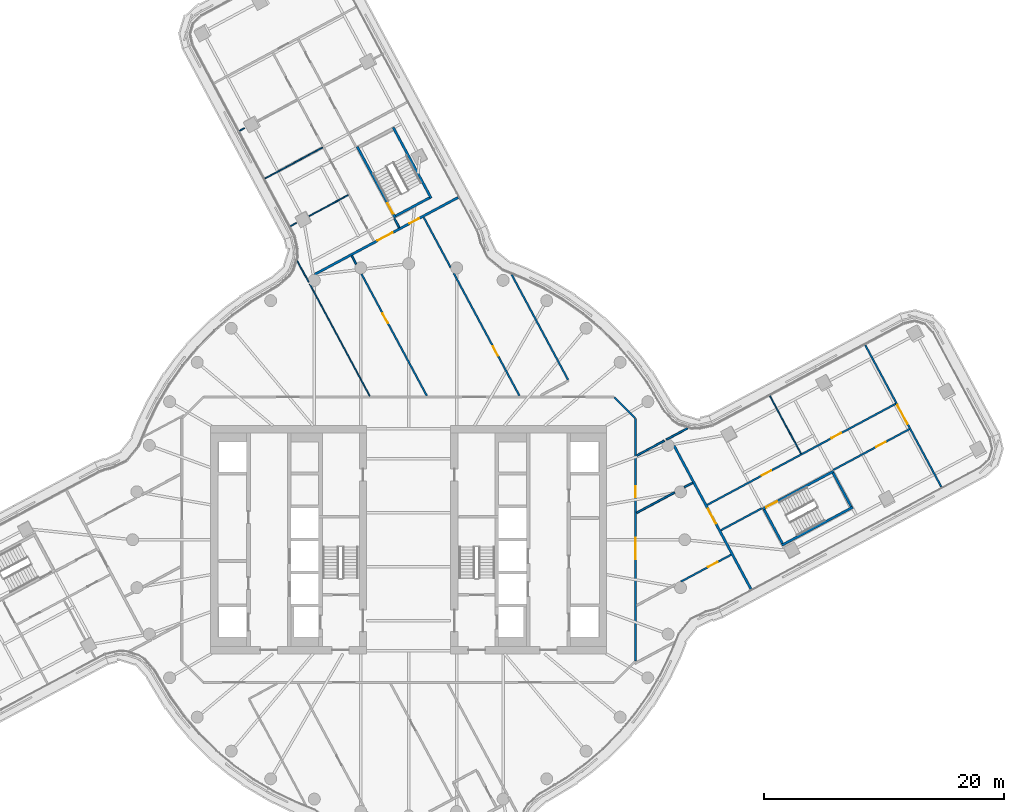
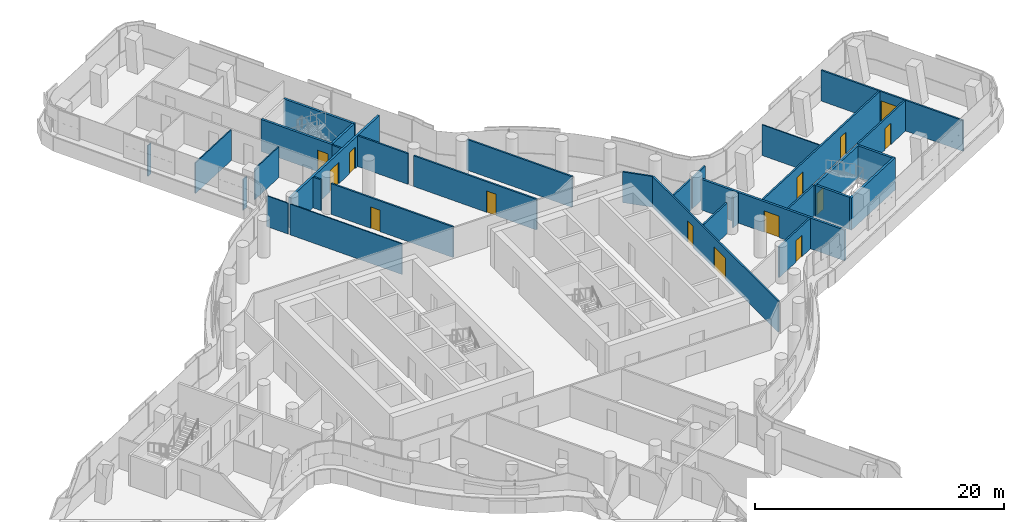
# One storey, part 22 of 33: 33 walls, 14 doors, 14 openings.
"""IFC4 building model written with IfcOpenShell, lengths in metres."""

from ifc_helpers import new_model, si_unit, direction, frame, frame_2d, origin, place, context, subcontext, project, spatial, polyline, rectangle, outline, extrude, material, layer, layer_set, type_object, element, fill, save


model = new_model("IFC4")

# Units and contexts
model_context = context("Model", 3, precision=1e-05, world=origin(), true_north=direction((0.0, 1.0)))
body_context = subcontext(model_context, "Body", "Model", "MODEL_VIEW")
ifc_project = project(units=[si_unit("LENGTHUNIT", "METRE"), si_unit("AREAUNIT", "SQUARE_METRE"), si_unit("VOLUMEUNIT", "CUBIC_METRE"), si_unit("PLANEANGLEUNIT", "RADIAN"), si_unit("MASSUNIT", "GRAM", prefix="KILO")], contexts=[model_context])

# Site, building, storey
site_placement = place(None, origin())
site = spatial("IfcSite", under=ifc_project, at=site_placement, CompositionType="ELEMENT")
building_placement = place(site_placement, origin())
building = spatial("IfcBuilding", under=site, at=building_placement, Name="Tamarind Cross Interchange Tower", CompositionType="ELEMENT")
storey_placement = place(building_placement, frame((0.0, 0.0, 136.75)))
storey = spatial("IfcBuildingStorey", under=building, at=storey_placement, Name="L33", CompositionType="ELEMENT", Elevation=136.75)

# Walls
ifc_material_1 = material(Name="Gypsum board partition on steel studs", Category="steel")
ifc_layer_1 = layer(ifc_material_1, 0.10009765625)
ifc_layer_set_1 = layer_set([ifc_layer_1], Name="Gypsum board partition on steel studs")
wall_type_1 = type_object("IfcWallType", Name="Partition 100 mm EI 90", PredefinedType="PARTITIONING", material=ifc_layer_set_1)
wall_1_placement = place(storey_placement, frame((-9.284912109375, 23.231689453125, 0.0), z_axis=(0.0, 0.0, 1.0), x_axis=(0.472677149277, -0.881235673672, 0.0)))
element("IfcWall", 1, at=wall_1_placement, inside=storey, type_object=wall_type_1, Name="Partition L33-010", PredefinedType="PARTITIONING", context=body_context, shape_type="SweptSolid", body=[
    extrude(rectangle(XDim=2.006591796875, YDim=0.10009765625, at=frame_2d((1.00341796875, 0.0))), origin(), (0.0, 0.0, 1.0), 3.010009765625),
])
wall_2_placement = place(storey_placement, frame((-8.2470703125, 21.296875, 0.0), z_axis=(0.0, 0.0, 1.0), x_axis=(0.472660277338, -0.881244723234, 0.0)))
element("IfcWall", 2, at=wall_2_placement, inside=storey, type_object=wall_type_1, Name="Partition L33-011", PredefinedType="PARTITIONING", context=body_context, shape_type="SweptSolid", body=[
    extrude(rectangle(XDim=10.5732421875, YDim=0.10009765625, at=frame_2d((5.28662109375, 0.0))), origin(), (0.0, 0.0, 1.0), 3.010009765625),
])
wall_3_placement = place(storey_placement, frame((30.1015625, 11.97607421875, 0.0), z_axis=(0.0, 0.0, 1.0), x_axis=(0.47257076592, -0.881292727304, 0.0)))
element("IfcWall", 3, at=wall_3_placement, inside=storey, type_object=wall_type_1, Name="Partition L33-029", PredefinedType="PARTITIONING", context=body_context, shape_type="SweptSolid", body=[
    extrude(rectangle(XDim=5.44873046875, YDim=0.10009765625, at=frame_2d((2.724365234375, 0.0))), origin(), (0.0, 0.0, 1.0), 3.010009765625),
])
wall_4_placement = place(storey_placement, frame((-14.094970703125, 34.070556640625, 0.0), z_axis=(0.0, 0.0, 1.0), x_axis=(0.881128231236, 0.472877404957, 0.0)))
element("IfcWall", 4, at=wall_4_placement, inside=storey, type_object=wall_type_1, Name="Partition L33-045", PredefinedType="PARTITIONING", context=body_context, shape_type="SweptSolid", body=[
    extrude(rectangle(XDim=0.464599609375, YDim=0.10009765625, at=frame_2d((0.232421875, 0.0))), origin(), (0.0, 0.0, 1.0), 3.010009765625),
])
wall_5_placement = place(storey_placement, frame((-11.97607421875, 30.1015625, 0.0), z_axis=(0.0, 0.0, 1.0), x_axis=(0.881292727304, 0.47257076592, 0.0)))
element("IfcWall", 5, at=wall_5_placement, inside=storey, type_object=wall_type_1, Name="Partition L33-050", PredefinedType="PARTITIONING", context=body_context, shape_type="SweptSolid", body=[
    extrude(rectangle(XDim=5.44873046875, YDim=0.10009765625, at=frame_2d((2.724365234375, 0.0))), origin(), (0.0, 0.0, 1.0), 3.010009765625),
])
wall_6_placement = place(storey_placement, frame((-9.8564453125, 26.13134765625, 0.0), z_axis=(0.0, 0.0, 1.0), x_axis=(0.881164663754, 0.472809512755, 0.0)))
element("IfcWall", 6, at=wall_6_placement, inside=storey, type_object=wall_type_1, Name="Partition L33-052", PredefinedType="PARTITIONING", context=body_context, shape_type="SweptSolid", body=[
    extrude(rectangle(XDim=0.564453125, YDim=0.10009765625, at=frame_2d((0.2822265625, 0.0))), origin(), (0.0, 0.0, 1.0), 3.010009765625),
])
wall_7_placement = place(storey_placement, frame((-8.3076171875, 26.96240234375, 0.0), z_axis=(0.0, 0.0, 1.0), x_axis=(0.881217925231, 0.472710237091, 0.0)))
element("IfcWall", 7, at=wall_7_placement, inside=storey, type_object=wall_type_1, Name="Partition L33-053", PredefinedType="PARTITIONING", context=body_context, shape_type="SweptSolid", body=[
    extrude(rectangle(XDim=3.699951171875, YDim=0.10009765625, at=frame_2d((1.85009765625, 0.0))), origin(), (0.0, 0.0, 1.0), 3.010009765625),
])
ifc_layer_2 = layer(ifc_material_1, 0.14990234375)
ifc_layer_set_2 = layer_set([ifc_layer_2], Name="Gypsum board partition on steel studs")
wall_type_2 = type_object("IfcWallType", Name="Partition 150 mm EI 120", PredefinedType="PARTITIONING", material=ifc_layer_set_2)
wall_8_placement = place(storey_placement, frame((-1.19287109375, 26.76220703125, 0.0), z_axis=(0.0, 0.0, 1.0), x_axis=(0.472575809363, -0.881290022867, 0.0)))
element("IfcWall", 8, at=wall_8_placement, inside=storey, type_object=wall_type_2, Name="Partition L33-013", PredefinedType="PARTITIONING", context=body_context, shape_type="SweptSolid", body=[
    extrude(rectangle(XDim=0.860107421875, YDim=0.14990234375, at=frame_2d((0.43017578125, 0.0))), origin(), (0.0, 0.0, 1.0), 3.010009765625),
])
wall_9_placement = place(storey_placement, frame((-4.74462890625, 23.65283203125, 0.0), z_axis=(0.0, 0.0, 1.0), x_axis=(0.472438455884, -0.881363662401, 0.0)))
element("IfcWall", 9, at=wall_9_placement, inside=storey, type_object=wall_type_2, Name="Partition L33-014", PredefinedType="PARTITIONING", context=body_context, shape_type="SweptSolid", body=[
    extrude(rectangle(XDim=0.7802734375, YDim=0.14990234375, at=frame_2d((0.39013671875, 0.0))), origin(), (0.0, 0.0, 1.0), 3.010009765625),
])

# Wall, opening, door
wall_10_placement = place(storey_placement, frame((-3.941162109375, 22.15478515625, 0.0), z_axis=(0.0, 0.0, 1.0), x_axis=(0.472663740914, -0.881242865517, 0.0)))
wall_10 = element("IfcWall", 10, at=wall_10_placement, inside=storey, type_object=wall_type_2, Name="Partition L33-015", PredefinedType="PARTITIONING", context=body_context, shape_type="SweptSolid", body=[
    extrude(rectangle(XDim=11.53173828125, YDim=0.14990234375, at=frame_2d((5.765869140625, 0.0))), origin(), (0.0, 0.0, 1.0), 3.010009765625),
])
opening_1_placement = place(wall_10_placement, frame((3.75, 0.0, 0.0)))
opening_1 = element("IfcOpeningElement", 11, at=opening_1_placement, cuts=wall_10, Name="Opening D11", PredefinedType="OPENING", context=body_context, shape_type="SweptSolid", body=[
    extrude(rectangle(XDim=0.89990234375, YDim=2.10009765625, at=frame_2d((0.449951171875, 1.050048828125))), frame((0.0, 0.0849609375, 0.0), z_axis=(0.0, -1.0, 0.0), x_axis=(1.0, 0.0, 0.0)), (0.0, 0.0, 1.0), 0.169921875),
])
ifc_material_2 = material(Name="Fire-resisting door set")
door_type_1 = type_object("IfcDoorType", Name="Interior door 900 x 2100 FD60S", OperationType="SINGLE_SWING_LEFT", PredefinedType="DOOR", material=ifc_material_2)
door_1_placement = place(opening_1_placement, frame((0.89990234375, 0.0, 0.0), z_axis=(0.0, 0.0, 1.0), x_axis=(-1.0, 0.0, 0.0)))
door_1 = element("IfcDoor", 12, at=door_1_placement, inside=storey, type_object=door_type_1, Name="Door D11", OperationType="SINGLE_SWING_LEFT", OverallHeight=2.10009765625, OverallWidth=0.89990234375, PredefinedType="DOOR", context=body_context, shape_type="SweptSolid", body=[
    extrude(rectangle(XDim=0.89990234375, YDim=2.10009765625, at=frame_2d((0.449951171875, 1.050048828125))), frame((0.0, 0.02490234375, 0.0), z_axis=(0.0, -1.0, 0.0), x_axis=(1.0, 0.0, 0.0)), (0.0, 0.0, 1.0), 0.050048828125),
])
fill(opening_1, door_1)

# Wall
wall_11_placement = place(storey_placement, frame((1.24951171875, 26.863525390625, 0.0), z_axis=(0.0, 0.0, 1.0), x_axis=(0.472715386163, -0.881215163104, 0.0)))
element("IfcWall", 13, at=wall_11_placement, inside=storey, type_object=wall_type_2, Name="Partition L33-020", PredefinedType="PARTITIONING", context=body_context, shape_type="SweptSolid", body=[
    extrude(rectangle(XDim=4.744873046875, YDim=0.14990234375, at=frame_2d((2.37255859375, 0.0))), origin(), (0.0, 0.0, 1.0), 3.010009765625),
])

# Wall, opening, door
wall_12_placement = place(storey_placement, frame((3.74755859375, 22.20654296875, 0.0), z_axis=(0.0, 0.0, 1.0), x_axis=(0.472684868369, -0.881231533262, 0.0)))
wall_12 = element("IfcWall", 14, at=wall_12_placement, inside=storey, type_object=wall_type_2, Name="Partition L33-021", PredefinedType="PARTITIONING", context=body_context, shape_type="SweptSolid", body=[
    extrude(rectangle(XDim=11.5908203125, YDim=0.14990234375, at=frame_2d((5.79541015625, 0.0))), origin(), (0.0, 0.0, 1.0), 3.010009765625),
])
opening_2_placement = place(wall_12_placement, frame((6.89990234375, 0.0, 0.0)))
opening_2 = element("IfcOpeningElement", 15, at=opening_2_placement, cuts=wall_12, Name="Opening D16", PredefinedType="OPENING", context=body_context, shape_type="SweptSolid", body=[
    extrude(rectangle(XDim=0.89990234375, YDim=2.10009765625, at=frame_2d((0.449951171875, 1.050048828125))), frame((0.0, 0.0849609375, 0.0), z_axis=(0.0, -1.0, 0.0), x_axis=(1.0, 0.0, 0.0)), (0.0, 0.0, 1.0), 0.169921875),
])
door_2_placement = place(opening_2_placement, origin())
door_2 = element("IfcDoor", 16, at=door_2_placement, inside=storey, type_object=door_type_1, Name="Door D16", OperationType="SINGLE_SWING_LEFT", OverallHeight=2.10009765625, OverallWidth=0.89990234375, PredefinedType="DOOR", context=body_context, shape_type="SweptSolid", body=[
    extrude(rectangle(XDim=0.89990234375, YDim=2.10009765625, at=frame_2d((0.449951171875, 1.050048828125))), frame((0.0, 0.02490234375, 0.0), z_axis=(0.0, -1.0, 0.0), x_axis=(1.0, 0.0, 0.0)), (0.0, 0.0, 1.0), 0.050048828125),
])
fill(opening_2, door_2)

# Wall
wall_13_placement = place(storey_placement, frame((8.577392578125, 22.08740234375, 0.0), z_axis=(0.0, 0.0, 1.0), x_axis=(0.472681056818, -0.881233577734, 0.0)))
element("IfcWall", 17, at=wall_13_placement, inside=storey, type_object=wall_type_2, Name="Partition L33-027", PredefinedType="PARTITIONING", context=body_context, shape_type="SweptSolid", body=[
    extrude(rectangle(XDim=9.94775390625, YDim=0.14990234375, at=frame_2d((4.973876953125, 0.0))), origin(), (0.0, 0.0, 1.0), 3.010009765625),
])

# Wall, opening, door
wall_14_placement = place(storey_placement, frame((38.040283203125, 16.21435546875, 0.0), z_axis=(0.0, 0.0, 1.0), x_axis=(0.472679740465, -0.881234283805, 0.0)))
wall_14 = element("IfcWall", 18, at=wall_14_placement, inside=storey, type_object=wall_type_2, Name="Partition L33-030", PredefinedType="PARTITIONING", context=body_context, shape_type="SweptSolid", body=[
    extrude(rectangle(XDim=13.4052734375, YDim=0.14990234375, at=frame_2d((6.70263671875, 0.0))), origin(), (0.0, 0.0, 1.0), 3.010009765625),
])
opening_3_placement = place(wall_14_placement, frame((5.65625, 0.0, 0.0)))
opening_3 = element("IfcOpeningElement", 19, at=opening_3_placement, cuts=wall_14, Name="Opening D22", PredefinedType="OPENING", context=body_context, shape_type="SweptSolid", body=[
    extrude(rectangle(XDim=1.800048828125, YDim=2.10009765625, at=frame_2d((0.89990234375, 1.050048828125))), frame((0.0, 0.0849609375, 0.0), z_axis=(0.0, -1.0, 0.0), x_axis=(1.0, 0.0, 0.0)), (0.0, 0.0, 1.0), 0.169921875),
])
door_type_2 = type_object("IfcDoorType", Name="Interior door 1800 x 2100 FD60S", OperationType="DOUBLE_DOOR_SINGLE_SWING", PredefinedType="DOOR", material=ifc_material_2)
door_3_placement = place(opening_3_placement, origin())
door_3 = element("IfcDoor", 20, at=door_3_placement, inside=storey, type_object=door_type_2, Name="Door D22", OperationType="DOUBLE_DOOR_SINGLE_SWING", OverallHeight=2.10009765625, OverallWidth=1.800048828125, PredefinedType="DOOR", context=body_context, shape_type="SweptSolid", body=[
    extrude(rectangle(XDim=1.800048828125, YDim=2.10009765625, at=frame_2d((0.89990234375, 1.050048828125))), frame((0.0, 0.02490234375, 0.0), z_axis=(0.0, -1.0, 0.0), x_axis=(1.0, 0.0, 0.0)), (0.0, 0.0, 1.0), 0.050048828125),
])
fill(opening_3, door_3)

# Wall
wall_15_placement = place(storey_placement, frame((17.12841796875, 11.87158203125, 0.0), z_axis=(0.0, 0.0, 1.0), x_axis=(0.707106781187, -0.707106781187, 0.0)))
element("IfcWall", 21, at=wall_15_placement, inside=storey, type_object=wall_type_2, Name="Partition L33-032", PredefinedType="PARTITIONING", context=body_context, shape_type="SweptSolid", body=[
    extrude(rectangle(XDim=2.465087890625, YDim=0.14990234375, at=frame_2d((1.232421875, 0.0))), origin(), (0.0, 0.0, 1.0), 3.010009765625),
])

# Wall, opening, door
wall_16_placement = place(storey_placement, frame((22.68212890625, -3.492431640625, 0.0), z_axis=(0.0, 0.0, 1.0), x_axis=(0.881226660407, 0.472693952774, 0.0)))
wall_16 = element("IfcWall", 22, at=wall_16_placement, inside=storey, type_object=wall_type_2, Name="Partition L33-068", PredefinedType="PARTITIONING", context=body_context, shape_type="SweptSolid", body=[
    extrude(rectangle(XDim=4.744873046875, YDim=0.14990234375, at=frame_2d((2.37255859375, 0.0))), origin(), (0.0, 0.0, 1.0), 3.010009765625),
])
opening_4_placement = place(wall_16_placement, frame((2.550048828125, 0.0, 0.0)))
opening_4 = element("IfcOpeningElement", 23, at=opening_4_placement, cuts=wall_16, Name="Opening D38", PredefinedType="OPENING", context=body_context, shape_type="SweptSolid", body=[
    extrude(rectangle(XDim=0.89990234375, YDim=2.10009765625, at=frame_2d((0.449951171875, 1.050048828125))), frame((0.0, 0.0849609375, 0.0), z_axis=(0.0, -1.0, 0.0), x_axis=(1.0, 0.0, 0.0)), (0.0, 0.0, 1.0), 0.169921875),
])
door_4_placement = place(opening_4_placement, frame((0.89990234375, 0.0, 0.0), z_axis=(0.0, 0.0, 1.0), x_axis=(-1.0, 0.0, 0.0)))
door_4 = element("IfcDoor", 24, at=door_4_placement, inside=storey, type_object=door_type_1, Name="Door D38", OperationType="SINGLE_SWING_RIGHT", OverallHeight=2.10009765625, OverallWidth=0.89990234375, PredefinedType="DOOR", context=body_context, shape_type="SweptSolid", body=[
    extrude(rectangle(XDim=0.89990234375, YDim=2.10009765625, at=frame_2d((0.449951171875, 1.050048828125))), frame((0.0, 0.02490234375, 0.0), z_axis=(0.0, -1.0, 0.0), x_axis=(1.0, 0.0, 0.0)), (0.0, 0.0, 1.0), 0.050048828125),
])
fill(opening_4, door_4)

# Walls
wall_17_placement = place(storey_placement, frame((18.992431640625, 2.24462890625, 0.0), z_axis=(0.0, 0.0, 1.0), x_axis=(0.881228008937, 0.472691438747, 0.0)))
element("IfcWall", 25, at=wall_17_placement, inside=storey, type_object=wall_type_2, Name="Partition L33-069", PredefinedType="PARTITIONING", context=body_context, shape_type="SweptSolid", body=[
    extrude(rectangle(XDim=3.588623046875, YDim=0.14990234375, at=frame_2d((1.79443359375, 0.0))), origin(), (0.0, 0.0, 1.0), 3.010009765625),
])
wall_18_placement = place(storey_placement, frame((22.96533203125, 4.3759765625, 0.0), z_axis=(0.0, 0.0, 1.0), x_axis=(0.881293800816, 0.472568763932, 0.0)))
element("IfcWall", 26, at=wall_18_placement, inside=storey, type_object=wall_type_2, Name="Partition L33-070", PredefinedType="PARTITIONING", context=body_context, shape_type="SweptSolid", body=[
    extrude(rectangle(XDim=0.780029296875, YDim=0.14990234375, at=frame_2d((0.39013671875, 0.0))), origin(), (0.0, 0.0, 1.0), 3.010009765625),
])
wall_19_placement = place(storey_placement, frame((18.992431640625, 7.0107421875, 0.0), z_axis=(0.0, 0.0, 1.0), x_axis=(0.881120441444, 0.472891919648, 0.0)))
element("IfcWall", 27, at=wall_19_placement, inside=storey, type_object=wall_type_2, Name="Partition L33-071", PredefinedType="PARTITIONING", context=body_context, shape_type="SweptSolid", body=[
    extrude(rectangle(XDim=2.616455078125, YDim=0.14990234375, at=frame_2d((1.30810546875, 0.0))), origin(), (0.0, 0.0, 1.0), 3.010009765625),
])
wall_20_placement = place(storey_placement, frame((21.46142578125, 8.3359375, 0.0), z_axis=(0.0, 0.0, 1.0), x_axis=(0.881087345863, 0.472953580133, 0.0)))
element("IfcWall", 28, at=wall_20_placement, inside=storey, type_object=wall_type_2, Name="Partition L33-072", PredefinedType="PARTITIONING", context=body_context, shape_type="SweptSolid", body=[
    extrude(rectangle(XDim=2.007568359375, YDim=0.14990234375, at=frame_2d((1.00390625, 0.0))), origin(), (0.0, 0.0, 1.0), 3.010009765625),
])

# Wall, openings, doors
wall_21_placement = place(storey_placement, frame((24.869140625, 2.9013671875, 0.0), z_axis=(0.0, 0.0, 1.0), x_axis=(0.881242233527, 0.472664919206, 0.0)))
wall_21 = element("IfcWall", 29, at=wall_21_placement, inside=storey, type_object=wall_type_2, Name="Partition L33-073", PredefinedType="PARTITIONING", context=body_context, shape_type="SweptSolid", body=[
    extrude(rectangle(XDim=17.824462890625, YDim=0.14990234375, at=frame_2d((8.912109375, 0.0))), origin(), (0.0, 0.0, 1.0), 3.010009765625),
])
opening_5_placement = place(wall_21_placement, frame((5.14990234375, 0.0, 0.0)))
opening_5 = element("IfcOpeningElement", 30, at=opening_5_placement, cuts=wall_21, Name="Opening D39", PredefinedType="OPENING", context=body_context, shape_type="SweptSolid", body=[
    extrude(rectangle(XDim=0.89990234375, YDim=2.10009765625, at=frame_2d((0.449951171875, 1.050048828125))), frame((0.0, 0.0849609375, 0.0), z_axis=(0.0, -1.0, 0.0), x_axis=(1.0, 0.0, 0.0)), (0.0, 0.0, 1.0), 0.169921875),
])
opening_6_placement = place(wall_21_placement, frame((11.749755859375, 0.0, 0.0)))
opening_6 = element("IfcOpeningElement", 31, at=opening_6_placement, cuts=wall_21, Name="Opening D40", PredefinedType="OPENING", context=body_context, shape_type="SweptSolid", body=[
    extrude(rectangle(XDim=0.89990234375, YDim=2.10009765625, at=frame_2d((0.449951171875, 1.050048828125))), frame((0.0, 0.0849609375, 0.0), z_axis=(0.0, -1.0, 0.0), x_axis=(1.0, 0.0, 0.0)), (0.0, 0.0, 1.0), 0.169921875),
])
door_5_placement = place(opening_5_placement, origin())
door_5 = element("IfcDoor", 32, at=door_5_placement, inside=storey, type_object=door_type_1, Name="Door D39", OperationType="SINGLE_SWING_RIGHT", OverallHeight=2.10009765625, OverallWidth=0.89990234375, PredefinedType="DOOR", context=body_context, shape_type="SweptSolid", body=[
    extrude(rectangle(XDim=0.89990234375, YDim=2.10009765625, at=frame_2d((0.449951171875, 1.050048828125))), frame((0.0, 0.02490234375, 0.0), z_axis=(0.0, -1.0, 0.0), x_axis=(1.0, 0.0, 0.0)), (0.0, 0.0, 1.0), 0.050048828125),
])
fill(opening_5, door_5)
door_6_placement = place(opening_6_placement, origin())
door_6 = element("IfcDoor", 33, at=door_6_placement, inside=storey, type_object=door_type_1, Name="Door D40", OperationType="SINGLE_SWING_LEFT", OverallHeight=2.10009765625, OverallWidth=0.89990234375, PredefinedType="DOOR", context=body_context, shape_type="SweptSolid", body=[
    extrude(rectangle(XDim=0.89990234375, YDim=2.10009765625, at=frame_2d((0.449951171875, 1.050048828125))), frame((0.0, 0.02490234375, 0.0), z_axis=(0.0, -1.0, 0.0), x_axis=(1.0, 0.0, 0.0)), (0.0, 0.0, 1.0), 0.050048828125),
])
fill(opening_6, door_6)

# Wall
wall_22_placement = place(storey_placement, frame((26.004150390625, 0.786376953125, 0.0), z_axis=(0.0, 0.0, 1.0), x_axis=(0.88118083106, 0.472779380867, 0.0)))
element("IfcWall", 34, at=wall_22_placement, inside=storey, type_object=wall_type_2, Name="Partition L33-074", PredefinedType="PARTITIONING", context=body_context, shape_type="SweptSolid", body=[
    extrude(rectangle(XDim=3.860595703125, YDim=0.14990234375, at=frame_2d((1.93017578125, 0.0))), origin(), (0.0, 0.0, 1.0), 3.010009765625),
])

# Wall, opening, door
wall_23_placement = place(storey_placement, frame((35.379638671875, 5.81640625, 0.0), z_axis=(0.0, 0.0, 1.0), x_axis=(0.881183071701, 0.472775204666, 0.0)))
wall_23 = element("IfcWall", 35, at=wall_23_placement, inside=storey, type_object=wall_type_2, Name="Partition L33-075", PredefinedType="PARTITIONING", context=body_context, shape_type="SweptSolid", body=[
    extrude(rectangle(XDim=7.179931640625, YDim=0.14990234375, at=frame_2d((3.58984375, 0.0))), origin(), (0.0, 0.0, 1.0), 3.010009765625),
])
opening_7_placement = place(wall_23_placement, frame((4.050048828125, 0.0, 0.0)))
opening_7 = element("IfcOpeningElement", 36, at=opening_7_placement, cuts=wall_23, Name="Opening D41", PredefinedType="OPENING", context=body_context, shape_type="SweptSolid", body=[
    extrude(rectangle(XDim=0.89990234375, YDim=2.10009765625, at=frame_2d((0.449951171875, 1.050048828125))), frame((0.0, 0.0849609375, 0.0), z_axis=(0.0, -1.0, 0.0), x_axis=(1.0, 0.0, 0.0)), (0.0, 0.0, 1.0), 0.169921875),
])
door_7_placement = place(opening_7_placement, frame((0.89990234375, 0.0, 0.0), z_axis=(0.0, 0.0, 1.0), x_axis=(-1.0, 0.0, 0.0)))
door_7 = element("IfcDoor", 37, at=door_7_placement, inside=storey, type_object=door_type_1, Name="Door D41", OperationType="SINGLE_SWING_RIGHT", OverallHeight=2.10009765625, OverallWidth=0.89990234375, PredefinedType="DOOR", context=body_context, shape_type="SweptSolid", body=[
    extrude(rectangle(XDim=0.89990234375, YDim=2.10009765625, at=frame_2d((0.449951171875, 1.050048828125))), frame((0.0, 0.02490234375, 0.0), z_axis=(0.0, -1.0, 0.0), x_axis=(1.0, 0.0, 0.0)), (0.0, 0.0, 1.0), 0.050048828125),
])
fill(opening_7, door_7)

# Wall, openings, doors
wall_24_placement = place(storey_placement, frame((18.89990234375, -10.10009765625, 0.0), z_axis=(0.0, 0.0, 1.0), x_axis=(0.0, 1.0, 0.0)))
wall_24 = element("IfcWall", 38, at=wall_24_placement, inside=storey, type_object=wall_type_2, Name="Partition L33-079", PredefinedType="PARTITIONING", context=body_context, shape_type="SweptSolid", body=[
    extrude(rectangle(XDim=20.2001953125, YDim=0.14990234375, at=frame_2d((10.10009765625, 0.0))), origin(), (0.0, 0.0, 1.0), 3.010009765625),
])
opening_8_placement = place(wall_24_placement, frame((8.47900390625, 0.0, 0.0)))
opening_8 = element("IfcOpeningElement", 39, at=opening_8_placement, cuts=wall_24, Name="Opening D44", PredefinedType="OPENING", context=body_context, shape_type="SweptSolid", body=[
    extrude(rectangle(XDim=1.800048828125, YDim=2.10009765625, at=frame_2d((0.89990234375, 1.050048828125))), frame((0.0, 0.0849609375, 0.0), z_axis=(0.0, -1.0, 0.0), x_axis=(1.0, 0.0, 0.0)), (0.0, 0.0, 1.0), 0.169921875),
])
opening_9_placement = place(wall_24_placement, frame((13.64501953125, 0.0, 0.0)))
opening_9 = element("IfcOpeningElement", 40, at=opening_9_placement, cuts=wall_24, Name="Opening D45", PredefinedType="OPENING", context=body_context, shape_type="SweptSolid", body=[
    extrude(rectangle(XDim=0.89990234375, YDim=2.10009765625, at=frame_2d((0.449951171875, 1.050048828125))), frame((0.0, 0.0849609375, 0.0), z_axis=(0.0, -1.0, 0.0), x_axis=(1.0, 0.0, 0.0)), (0.0, 0.0, 1.0), 0.169921875),
])
door_8_placement = place(opening_8_placement, origin())
door_8 = element("IfcDoor", 41, at=door_8_placement, inside=storey, type_object=door_type_2, Name="Door D44", OperationType="DOUBLE_DOOR_SINGLE_SWING", OverallHeight=2.10009765625, OverallWidth=1.800048828125, PredefinedType="DOOR", context=body_context, shape_type="SweptSolid", body=[
    extrude(rectangle(XDim=1.800048828125, YDim=2.10009765625, at=frame_2d((0.89990234375, 1.050048828125))), frame((0.0, 0.02490234375, 0.0), z_axis=(0.0, -1.0, 0.0), x_axis=(1.0, 0.0, 0.0)), (0.0, 0.0, 1.0), 0.050048828125),
])
fill(opening_8, door_8)
door_9_placement = place(opening_9_placement, frame((0.89990234375, 0.0, 0.0), z_axis=(0.0, 0.0, 1.0), x_axis=(-1.0, 0.0, 0.0)))
door_9 = element("IfcDoor", 42, at=door_9_placement, inside=storey, type_object=door_type_1, Name="Door D45", OperationType="SINGLE_SWING_RIGHT", OverallHeight=2.10009765625, OverallWidth=0.89990234375, PredefinedType="DOOR", context=body_context, shape_type="SweptSolid", body=[
    extrude(rectangle(XDim=0.89990234375, YDim=2.10009765625, at=frame_2d((0.449951171875, 1.050048828125))), frame((0.0, 0.02490234375, 0.0), z_axis=(0.0, -1.0, 0.0), x_axis=(1.0, 0.0, 0.0)), (0.0, 0.0, 1.0), 0.050048828125),
])
fill(opening_9, door_9)

# Wall, opening, door
ifc_layer_3 = layer(ifc_material_1, 0.199951171875)
ifc_layer_set_3 = layer_set([ifc_layer_3], Name="Gypsum board partition on steel studs")
wall_type_3 = type_object("IfcWallType", Name="Partition 200 mm EI 180", PredefinedType="PARTITIONING", material=ifc_layer_set_3)
wall_25_placement = place(storey_placement, frame((22.11279296875, 7.82861328125, 0.0), z_axis=(0.0, 0.0, 1.0), x_axis=(0.472548012719, -0.881304927749, 0.0)))
wall_25 = element("IfcWall", 43, at=wall_25_placement, inside=storey, type_object=wall_type_3, Name="Partition L33-028", PredefinedType="PARTITIONING", context=body_context, shape_type="SweptSolid", body=[
    extrude(rectangle(XDim=13.54443359375, YDim=0.199951171875, at=frame_2d((6.772216796875, 0.0))), origin(), (0.0, 0.0, 1.0), 3.010009765625),
])
opening_10_placement = place(wall_25_placement, frame((5.945068359375, 0.0, 0.0)))
opening_10 = element("IfcOpeningElement", 44, at=opening_10_placement, cuts=wall_25, Name="Opening D21", PredefinedType="OPENING", context=body_context, shape_type="SweptSolid", body=[
    extrude(rectangle(XDim=1.39990234375, YDim=2.10009765625, at=frame_2d((0.699951171875, 1.050048828125))), frame((0.0, 0.10986328125, 0.0), z_axis=(0.0, -1.0, 0.0), x_axis=(1.0, 0.0, 0.0)), (0.0, 0.0, 1.0), 0.219970703125),
])
door_type_3 = type_object("IfcDoorType", Name="Interior door 1400 x 2100 FD120S", OperationType="DOUBLE_DOOR_SINGLE_SWING", PredefinedType="DOOR", material=ifc_material_2)
door_10_placement = place(opening_10_placement, frame((1.39990234375, 0.0, 0.0), z_axis=(0.0, 0.0, 1.0), x_axis=(-1.0, 0.0, 0.0)))
door_10 = element("IfcDoor", 45, at=door_10_placement, inside=storey, type_object=door_type_3, Name="Door D21", OperationType="DOUBLE_DOOR_SINGLE_SWING", OverallHeight=2.10009765625, OverallWidth=1.39990234375, PredefinedType="DOOR", context=body_context, shape_type="SweptSolid", body=[
    extrude(rectangle(XDim=1.39990234375, YDim=2.10009765625, at=frame_2d((0.699951171875, 1.050048828125))), frame((0.0, 0.02490234375, 0.0), z_axis=(0.0, -1.0, 0.0), x_axis=(1.0, 0.0, 0.0)), (0.0, 0.0, 1.0), 0.050048828125),
])
fill(opening_10, door_10)

# Wall, openings, doors
wall_26_placement = place(storey_placement, frame((-7.82861328125, 22.11279296875, 0.0), z_axis=(0.0, 0.0, 1.0), x_axis=(0.881304927749, 0.472548012719, 0.0)))
wall_26 = element("IfcWall", 46, at=wall_26_placement, inside=storey, type_object=wall_type_3, Name="Partition L33-054", PredefinedType="PARTITIONING", context=body_context, shape_type="SweptSolid", body=[
    extrude(rectangle(XDim=13.54443359375, YDim=0.199951171875, at=frame_2d((6.772216796875, 0.0))), origin(), (0.0, 0.0, 1.0), 3.010009765625),
])
opening_11_placement = place(wall_26_placement, frame((5.945068359375, 0.0, 0.0)))
opening_11 = element("IfcOpeningElement", 47, at=opening_11_placement, cuts=wall_26, Name="Opening D34", PredefinedType="OPENING", context=body_context, shape_type="SweptSolid", body=[
    extrude(rectangle(XDim=1.39990234375, YDim=2.10009765625, at=frame_2d((0.699951171875, 1.050048828125))), frame((0.0, 0.10986328125, 0.0), z_axis=(0.0, -1.0, 0.0), x_axis=(1.0, 0.0, 0.0)), (0.0, 0.0, 1.0), 0.219970703125),
])
opening_12_placement = place(wall_26_placement, frame((8.9453125, 0.0, 0.0)))
opening_12 = element("IfcOpeningElement", 48, at=opening_12_placement, cuts=wall_26, Name="Opening D35", PredefinedType="OPENING", context=body_context, shape_type="SweptSolid", body=[
    extrude(rectangle(XDim=0.89990234375, YDim=2.10009765625, at=frame_2d((0.449951171875, 1.050048828125))), frame((0.0, 0.10986328125, 0.0), z_axis=(0.0, -1.0, 0.0), x_axis=(1.0, 0.0, 0.0)), (0.0, 0.0, 1.0), 0.219970703125),
])
door_11_placement = place(opening_11_placement, frame((1.39990234375, 0.0, 0.0), z_axis=(0.0, 0.0, 1.0), x_axis=(-1.0, 0.0, 0.0)))
door_11 = element("IfcDoor", 49, at=door_11_placement, inside=storey, type_object=door_type_3, Name="Door D34", OperationType="DOUBLE_DOOR_SINGLE_SWING", OverallHeight=2.10009765625, OverallWidth=1.39990234375, PredefinedType="DOOR", context=body_context, shape_type="SweptSolid", body=[
    extrude(rectangle(XDim=1.39990234375, YDim=2.10009765625, at=frame_2d((0.699951171875, 1.050048828125))), frame((0.0, 0.02490234375, 0.0), z_axis=(0.0, -1.0, 0.0), x_axis=(1.0, 0.0, 0.0)), (0.0, 0.0, 1.0), 0.050048828125),
])
fill(opening_11, door_11)
door_type_4 = type_object("IfcDoorType", Name="Interior door 900 x 2100 FD120S", OperationType="SINGLE_SWING_LEFT", PredefinedType="DOOR", material=ifc_material_2)
door_12_placement = place(opening_12_placement, origin())
door_12 = element("IfcDoor", 50, at=door_12_placement, inside=storey, type_object=door_type_4, Name="Door D35", OperationType="SINGLE_SWING_LEFT", OverallHeight=2.10009765625, OverallWidth=0.89990234375, PredefinedType="DOOR", context=body_context, shape_type="SweptSolid", body=[
    extrude(rectangle(XDim=0.89990234375, YDim=2.10009765625, at=frame_2d((0.449951171875, 1.050048828125))), frame((0.0, 0.02490234375, 0.0), z_axis=(0.0, -1.0, 0.0), x_axis=(1.0, 0.0, 0.0)), (0.0, 0.0, 1.0), 0.050048828125),
])
fill(opening_12, door_12)

# Wall, opening, door
ifc_material_3 = material(Name="Concrete C40", Category="concrete")
ifc_layer_4 = layer(ifc_material_3, 0.199951171875)
ifc_layer_set_4 = layer_set([ifc_layer_4], Name="Concrete C40")
wall_type_4 = type_object("IfcWallType", Name="Stair shaft wall 200 mm Concrete C40", PredefinedType="SHEAR", material=ifc_layer_set_4)
wall_27_placement = place(storey_placement, frame((29.488037109375, 2.54150390625, -0.139892578125), z_axis=(0.0, 0.0, 1.0), x_axis=(0.881232832072, 0.472682446975, 0.0)))
wall_27 = element("IfcWall", 51, at=wall_27_placement, inside=storey, type_object=wall_type_4, Name="Core wall CWL-L33-ST3-H", PredefinedType="SHEAR", context=body_context, shape_type="SweptSolid", body=[
    extrude(rectangle(XDim=6.699951171875, YDim=0.199951171875, at=frame_2d((3.35009765625, 0.0))), origin(), (0.0, 0.0, 1.0), 3.14990234375),
])
opening_13_placement = place(wall_27_placement, frame((0.35009765625, 0.0, 0.0)))
opening_13 = element("IfcOpeningElement", 52, at=opening_13_placement, cuts=wall_27, Name="Opening ST3L33", PredefinedType="OPENING", context=body_context, shape_type="SweptSolid", body=[
    extrude(rectangle(XDim=1.0, YDim=2.10009765625, at=frame_2d((0.5, 1.050048828125))), frame((0.0, 0.10986328125, 0.0), z_axis=(0.0, -1.0, 0.0), x_axis=(1.0, 0.0, 0.0)), (0.0, 0.0, 1.0), 0.219970703125),
])
ifc_material_4 = material(Name="Steel, fire-resisting", Category="steel")
door_type_5 = type_object("IfcDoorType", Name="Core fire door 1000 x 2100 FD90", OperationType="SINGLE_SWING_LEFT", PredefinedType="DOOR", material=ifc_material_4)
door_13_placement = place(opening_13_placement, origin())
door_13 = element("IfcDoor", 53, at=door_13_placement, inside=storey, type_object=door_type_5, Name="L33 stair door ST3", OperationType="SINGLE_SWING_LEFT", OverallHeight=2.10009765625, OverallWidth=1.0, PredefinedType="DOOR", context=body_context, shape_type="SweptSolid", body=[
    extrude(rectangle(XDim=1.0, YDim=2.10009765625, at=frame_2d((0.5, 1.050048828125))), frame((0.0, 0.02490234375, 0.0), z_axis=(0.0, -1.0, 0.0), x_axis=(1.0, 0.0, 0.0)), (0.0, 0.0, 1.0), 0.050048828125),
])
fill(opening_13, door_13)

# Walls
wall_28_placement = place(storey_placement, frame((31.09521484375, -0.45458984375, -0.139892578125), z_axis=(0.0, 0.0, 1.0), x_axis=(0.881232832072, 0.472682446975, 0.0)))
element("IfcWall", 54, at=wall_28_placement, inside=storey, type_object=wall_type_4, Name="Core wall CWL-L33-ST3-C", PredefinedType="SHEAR", context=body_context, shape_type="SweptSolid", body=[
    extrude(rectangle(XDim=6.699951171875, YDim=0.199951171875, at=frame_2d((3.35009765625, 0.0))), origin(), (0.0, 0.0, 1.0), 3.14990234375),
])
wall_29_placement = place(storey_placement, frame((31.135986328125, -0.3193359375, -0.139892578125), z_axis=(0.0, 0.0, 1.0), x_axis=(-0.47272523169, 0.88120988154, 0.0)))
element("IfcWall", 55, at=wall_29_placement, inside=storey, type_object=wall_type_4, Name="Core wall CWL-L33-ST3-CE", PredefinedType="SHEAR", context=body_context, shape_type="SweptSolid", body=[
    extrude(rectangle(XDim=3.199951171875, YDim=0.199951171875, at=frame_2d((1.60009765625, 0.0))), origin(), (0.0, 0.0, 1.0), 3.14990234375),
])
wall_30_placement = place(storey_placement, frame((0.0, 0.0, -0.139892578125)))
element("IfcWall", 56, at=wall_30_placement, inside=storey, type_object=wall_type_4, Name="Core wall CWL-L33-ST3-CF", PredefinedType="SHEAR", context=body_context, shape_type="SweptSolid", body=[
    extrude(outline(polyline([(36.77587890625, 2.7060546875), (36.9521484375, 2.800537109375), (35.439453125, 5.620361328125), (35.26318359375, 5.52587890625), (36.77587890625, 2.7060546875)])), origin(), (0.0, 0.0, 1.0), 3.14990234375),
])

# Wall, opening, door
wall_31_placement = place(storey_placement, frame((-1.123291015625, 26.844482421875, -0.139892578125), z_axis=(0.0, 0.0, 1.0), x_axis=(-0.472697625676, 0.881224690235, 0.0)))
wall_31 = element("IfcWall", 57, at=wall_31_placement, inside=storey, type_object=wall_type_4, Name="Core wall CWL-L33-ST4-H", PredefinedType="SHEAR", context=body_context, shape_type="SweptSolid", body=[
    extrude(rectangle(XDim=6.69970703125, YDim=0.199951171875, at=frame_2d((3.349853515625, 0.0))), origin(), (0.0, 0.0, 1.0), 3.14990234375),
])
opening_14_placement = place(wall_31_placement, frame((0.35009765625, 0.0, 0.0)))
opening_14 = element("IfcOpeningElement", 58, at=opening_14_placement, cuts=wall_31, Name="Opening ST4L33", PredefinedType="OPENING", context=body_context, shape_type="SweptSolid", body=[
    extrude(rectangle(XDim=1.0, YDim=2.10009765625, at=frame_2d((0.5, 1.050048828125))), frame((0.0, 0.10986328125, 0.0), z_axis=(0.0, -1.0, 0.0), x_axis=(1.0, 0.0, 0.0)), (0.0, 0.0, 1.0), 0.219970703125),
])
door_14_placement = place(opening_14_placement, origin())
door_14 = element("IfcDoor", 59, at=door_14_placement, inside=storey, type_object=door_type_5, Name="L33 stair door ST4", OperationType="SINGLE_SWING_LEFT", OverallHeight=2.10009765625, OverallWidth=1.0, PredefinedType="DOOR", context=body_context, shape_type="SweptSolid", body=[
    extrude(rectangle(XDim=1.0, YDim=2.10009765625, at=frame_2d((0.5, 1.050048828125))), frame((0.0, 0.02490234375, 0.0), z_axis=(0.0, -1.0, 0.0), x_axis=(1.0, 0.0, 0.0)), (0.0, 0.0, 1.0), 0.050048828125),
])
fill(opening_14, door_14)

# Walls
wall_32_placement = place(storey_placement, frame((1.872802734375, 28.45166015625, -0.139892578125), z_axis=(0.0, 0.0, 1.0), x_axis=(-0.472697625676, 0.881224690235, 0.0)))
element("IfcWall", 60, at=wall_32_placement, inside=storey, type_object=wall_type_4, Name="Core wall CWL-L33-ST4-C", PredefinedType="SHEAR", context=body_context, shape_type="SweptSolid", body=[
    extrude(rectangle(XDim=6.69970703125, YDim=0.199951171875, at=frame_2d((3.349853515625, 0.0))), origin(), (0.0, 0.0, 1.0), 3.14990234375),
])
wall_33_placement = place(storey_placement, frame((1.7373046875, 28.492431640625, -0.139892578125), z_axis=(0.0, 0.0, 1.0), x_axis=(-0.88120988154, -0.47272523169, 0.0)))
element("IfcWall", 61, at=wall_33_placement, inside=storey, type_object=wall_type_4, Name="Core wall CWL-L33-ST4-CE", PredefinedType="SHEAR", context=body_context, shape_type="SweptSolid", body=[
    extrude(rectangle(XDim=3.199951171875, YDim=0.199951171875, at=frame_2d((1.60009765625, 0.0))), origin(), (0.0, 0.0, 1.0), 3.14990234375),
])

save(model, "model.ifc")
